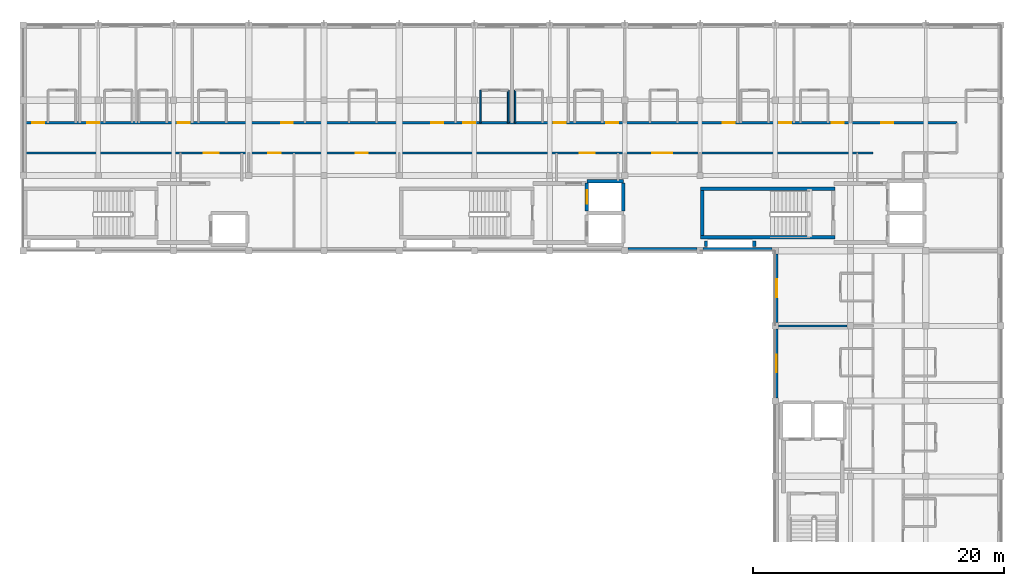
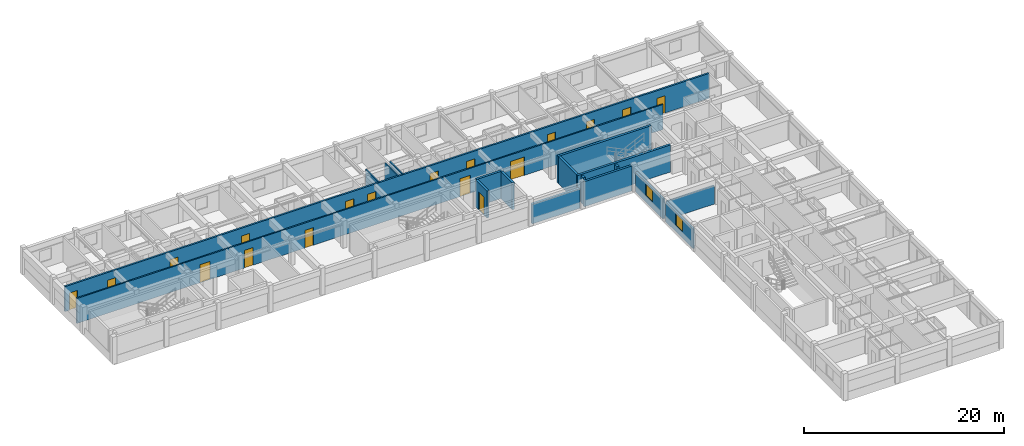
# One storey, part 5 of 14: 18 doors, 18 walls, 2 windows, 20 openings.
"""IFC4 building model written with IfcOpenShell, lengths in metres."""

from ifc_helpers import new_model, si_unit, direction, frame, frame_2d, origin, place, context, subcontext, project, spatial, rectangle, extrude, material, layer, layer_set, type_object, element, fill, save


model = new_model("IFC4")

# Units and contexts
model_context = context("Model", 3, precision=1e-05, world=origin(), true_north=direction((0.0, 1.0)))
body_context = subcontext(model_context, "Body", "Model", "MODEL_VIEW")
ifc_project = project(units=[si_unit("LENGTHUNIT", "METRE"), si_unit("AREAUNIT", "SQUARE_METRE"), si_unit("VOLUMEUNIT", "CUBIC_METRE"), si_unit("PLANEANGLEUNIT", "RADIAN"), si_unit("MASSUNIT", "GRAM", prefix="KILO"), si_unit("THERMODYNAMICTEMPERATUREUNIT", "KELVIN"), si_unit("POWERUNIT", "WATT")], contexts=[model_context])

# Site, building, storey
site_placement = place(None, origin())
site = spatial("IfcSite", under=ifc_project, at=site_placement, CompositionType="ELEMENT")
building_placement = place(site_placement, origin())
building = spatial("IfcBuilding", under=site, at=building_placement, Name="Phaisarnlok Congress Hotel", CompositionType="ELEMENT")
storey_placement = place(building_placement, frame((0.0, 0.0, 48.0)))
storey = spatial("IfcBuildingStorey", under=building, at=storey_placement, Name="L12", CompositionType="ELEMENT", Elevation=48.0)

# Wall, opening, window
ifc_material_1 = material(Name="Concrete C40/50", Category="concrete")
ifc_layer_1 = layer(ifc_material_1, 0.2099609375, Name="Concrete C40/50")
ifc_layer_set_1 = layer_set([ifc_layer_1], Name="Concrete C40/50")
wall_type_1 = type_object("IfcWallType", Name="WL-EXT-210", PredefinedType="SOLIDWALL", material=ifc_layer_set_1)
wall_1_placement = place(storey_placement, frame((162.10498046875, 101.7451171875, 0.0), z_axis=(0.0, 0.0, 1.0), x_axis=(0.0, -1.0, 0.0)))
wall_1 = element("IfcWall", 1, at=wall_1_placement, inside=storey, type_object=wall_type_1, Name="Exterior wall EW-07 (L12)", PredefinedType="SOLIDWALL", context=body_context, shape_type="SweptSolid", body=[
    extrude(rectangle(XDim=5.490234375, YDim=0.2099609375, at=frame_2d((2.7451171875, 0.0))), origin(), (0.0, 0.0, 1.0), 2.39990234375),
])
opening_1_placement = place(wall_1_placement, frame((2.044921875, 0.0, 0.800048828125)))
opening_1 = element("IfcOpeningElement", 2, at=opening_1_placement, cuts=wall_1, Name="Opening W-13", PredefinedType="OPENING", context=body_context, shape_type="SweptSolid", body=[
    extrude(rectangle(XDim=1.39990234375, YDim=1.39990234375, at=frame_2d((0.699951171875, 0.699951171875))), frame((0.0, 0.114990234375, 0.0), z_axis=(0.0, -1.0, 0.0), x_axis=(1.0, 0.0, 0.0)), (0.0, 0.0, 1.0), 0.22998046875),
])
ifc_material_2 = material(Name="Thermally Broken Aluminium & Low-E Double Glazing", Category="aluminium")
window_type = type_object("IfcWindowType", Name="WIN-POD-1400", PartitioningType="SINGLE_PANEL", PredefinedType="WINDOW", material=ifc_material_2)
window_1_placement = place(opening_1_placement, origin())
window_1 = element("IfcWindow", 3, at=window_1_placement, inside=storey, type_object=window_type, Name="Guestroom window W-13 (L12)", OverallHeight=1.39990234375, OverallWidth=1.39990234375, PartitioningType="SINGLE_PANEL", PredefinedType="WINDOW", context=body_context, shape_type="SweptSolid", body=[
    extrude(rectangle(XDim=1.39990234375, YDim=1.39990234375, at=frame_2d((0.699951171875, 0.699951171875))), frame((0.0, 0.030029296875, 0.0), z_axis=(0.0, -1.0, 0.0), x_axis=(1.0, 0.0, 0.0)), (0.0, 0.0, 1.0), 0.06005859375),
])
fill(opening_1, window_1)

ifc_layer_2 = layer(ifc_material_1, 0.22998046875, Name="Concrete C40/50")
ifc_layer_set_2 = layer_set([ifc_layer_2], Name="Concrete C40/50")
wall_type_2 = type_object("IfcWallType", Name="WL-EXT-230", PredefinedType="SOLIDWALL", material=ifc_layer_set_2)
wall_2_placement = place(storey_placement, frame((162.114990234375, 107.7451171875, 0.0), z_axis=(0.0, 0.0, 1.0), x_axis=(0.0, -1.0, 0.0)))
wall_2 = element("IfcWall", 4, at=wall_2_placement, inside=storey, type_object=wall_type_2, Name="Exterior wall EW-06 (L12)", PredefinedType="SOLIDWALL", context=body_context, shape_type="SweptSolid", body=[
    extrude(rectangle(XDim=5.490234375, YDim=0.22998046875, at=frame_2d((2.7451171875, 0.0))), origin(), (0.0, 0.0, 1.0), 2.39990234375),
])
opening_2_placement = place(wall_2_placement, frame((2.044921875, 0.0, 0.800048828125)))
opening_2 = element("IfcOpeningElement", 5, at=opening_2_placement, cuts=wall_2, Name="Opening W-13", PredefinedType="OPENING", context=body_context, shape_type="SweptSolid", body=[
    extrude(rectangle(XDim=1.39990234375, YDim=1.39990234375, at=frame_2d((0.699951171875, 0.699951171875))), frame((0.0, 0.125, 0.0), z_axis=(0.0, -1.0, 0.0), x_axis=(1.0, 0.0, 0.0)), (0.0, 0.0, 1.0), 0.25),
])
window_2_placement = place(opening_2_placement, origin())
window_2 = element("IfcWindow", 6, at=window_2_placement, inside=storey, type_object=window_type, Name="Guestroom window W-13 (L12)", OverallHeight=1.39990234375, OverallWidth=1.39990234375, PartitioningType="SINGLE_PANEL", PredefinedType="WINDOW", context=body_context, shape_type="SweptSolid", body=[
    extrude(rectangle(XDim=1.39990234375, YDim=1.39990234375, at=frame_2d((0.699951171875, 0.699951171875))), frame((0.0, 0.030029296875, 0.0), z_axis=(0.0, -1.0, 0.0), x_axis=(1.0, 0.0, 0.0)), (0.0, 0.0, 1.0), 0.06005859375),
])
fill(opening_2, window_2)

# Walls
ifc_layer_3 = layer(ifc_material_1, 0.25, Name="Concrete C40/50")
ifc_layer_set_3 = layer_set([ifc_layer_3], Name="Concrete C40/50")
wall_type_3 = type_object("IfcWallType", Name="WL-EXT-250", PredefinedType="SOLIDWALL", material=ifc_layer_set_3)
wall_3_placement = place(storey_placement, frame((156.2548828125, 108.125, 0.0), z_axis=(0.0, 0.0, 1.0), x_axis=(1.0, 0.0, 0.0)))
element("IfcWall", 7, at=wall_3_placement, inside=storey, type_object=wall_type_3, Name="Exterior wall EW-05 (L12)", PredefinedType="SOLIDWALL", context=body_context, shape_type="SweptSolid", body=[
    extrude(rectangle(XDim=5.490234375, YDim=0.25, at=frame_2d((2.7451171875, 0.0))), origin(), (0.0, 0.0, 1.0), 3.050048828125),
])
ifc_layer_4 = layer(ifc_material_1, 0.27001953125, Name="Concrete C40/50")
ifc_layer_set_4 = layer_set([ifc_layer_4], Name="Concrete C40/50")
wall_type_4 = type_object("IfcWallType", Name="WL-EXT-270", PredefinedType="SOLIDWALL", material=ifc_layer_set_4)
wall_4_placement = place(storey_placement, frame((150.2548828125, 108.135009765625, 0.0), z_axis=(0.0, 0.0, 1.0), x_axis=(1.0, 0.0, 0.0)))
element("IfcWall", 8, at=wall_4_placement, inside=storey, type_object=wall_type_4, Name="Exterior wall EW-04 (L12)", PredefinedType="SOLIDWALL", context=body_context, shape_type="SweptSolid", body=[
    extrude(rectangle(XDim=5.490234375, YDim=0.27001953125, at=frame_2d((2.7451171875, 0.0))), origin(), (0.0, 0.0, 1.0), 2.39990234375),
])
ifc_material_3 = material(Name="Lightweight Metal-Stud Gypsum Partition", Category="gypsum")
ifc_layer_5 = layer(ifc_material_3, 0.1201171875, Name="Lightweight Metal-Stud Gypsum Partition")
ifc_layer_set_5 = layer_set([ifc_layer_5], Name="Lightweight Metal-Stud Gypsum Partition")
wall_type_5 = type_object("IfcWallType", Name="WL-INT-120", PredefinedType="PARTITIONING", material=ifc_layer_set_5)
wall_5_placement = place(storey_placement, frame((138.5, 118.199951171875, 0.0), z_axis=(0.0, 0.0, 1.0), x_axis=(0.0, 1.0, 0.0)))
element("IfcWall", 9, at=wall_5_placement, inside=storey, type_object=wall_type_5, Name="Interior partition wall IW-07 (L12)", PredefinedType="PARTITIONING", context=body_context, shape_type="SweptSolid", body=[
    extrude(rectangle(XDim=2.60009765625, YDim=0.1201171875, at=frame_2d((1.300048828125, 0.0))), origin(), (0.0, 0.0, 1.0), 3.050048828125),
])
ifc_material_4 = material(Name="Moisture-Resistant Gypsum Partition", Category="gypsum")
ifc_layer_6 = layer(ifc_material_4, 0.135009765625, Name="Moisture-Resistant Gypsum Partition")
ifc_layer_set_6 = layer_set([ifc_layer_6], Name="Moisture-Resistant Gypsum Partition")
wall_type_6 = type_object("IfcWallType", Name="WL-INT-135", PredefinedType="PARTITIONING", material=ifc_layer_set_6)
for number, where, z_axis, x_axis, name in (
    (10, (140.699951171875, 118.199951171875, 0.0), (0.0, 0.0, 1.0), (0.0, 1.0, 0.0), "Interior partition wall IW-06 (L12)"),
    (11, (141.25, 118.199951171875, 0.0), (0.0, 0.0, 1.0), (0.0, 1.0, 0.0), "Interior partition wall IW-06 (L12)"),
):
    element("IfcWall", number, at=place(storey_placement, frame(where, z_axis=z_axis, x_axis=x_axis)), inside=storey, type_object=wall_type_6, Name=name, PredefinedType="PARTITIONING", context=body_context, shape_type="SweptSolid", body=[
        extrude(rectangle(XDim=2.60009765625, YDim=0.135009765625, at=frame_2d((1.300048828125, 0.0))), origin(), (0.0, 0.0, 1.0), 3.050048828125),
    ])
ifc_material_5 = material(Name="Double-Stud Acoustic Gypsum Partition", Category="gypsum")
ifc_layer_7 = layer(ifc_material_5, 0.159912109375, Name="Double-Stud Acoustic Gypsum Partition")
ifc_layer_set_7 = layer_set([ifc_layer_7], Name="Double-Stud Acoustic Gypsum Partition")
wall_type_7 = type_object("IfcWallType", Name="WL-INT-160", PredefinedType="PARTITIONING", material=ifc_layer_set_7)
wall_6_placement = place(storey_placement, frame((162.280029296875, 102.0, 0.0), z_axis=(0.0, 0.0, 1.0), x_axis=(1.0, 0.0, 0.0)))
element("IfcWall", 12, at=wall_6_placement, inside=storey, type_object=wall_type_7, Name="Interior partition wall IW-04 (L12)", PredefinedType="PARTITIONING", context=body_context, shape_type="SweptSolid", body=[
    extrude(rectangle(XDim=5.465087890625, YDim=0.159912109375, at=frame_2d((2.732421875, 0.0))), origin(), (0.0, 0.0, 1.0), 2.25),
])

# Wall, openings, doors
wall_7_placement = place(storey_placement, frame((102.235107421875, 115.800048828125, 0.0), z_axis=(0.0, 0.0, 1.0), x_axis=(1.0, 0.0, 0.0)))
wall_7 = element("IfcWall", 13, at=wall_7_placement, inside=storey, type_object=wall_type_7, Name="Interior partition wall IW-04 (L12)", PredefinedType="PARTITIONING", context=body_context, shape_type="SweptSolid", body=[
    extrude(rectangle(XDim=67.56494140625, YDim=0.159912109375, at=frame_2d((33.782470703125, 0.0))), origin(), (0.0, 0.0, 1.0), 3.050048828125),
])
opening_3_placement = place(wall_7_placement, frame((44.1650390625, 0.0, 0.0)))
opening_3 = element("IfcOpeningElement", 14, at=opening_3_placement, cuts=wall_7, Name="Opening D-0673", PredefinedType="OPENING", context=body_context, shape_type="SweptSolid", body=[
    extrude(rectangle(XDim=1.199951171875, YDim=2.199951171875, at=frame_2d((0.60009765625, 1.10009765625))), frame((0.0, 0.08984375, 0.0), z_axis=(0.0, -1.0, 0.0), x_axis=(1.0, 0.0, 0.0)), (0.0, 0.0, 1.0), 0.179931640625),
])
opening_4_placement = place(wall_7_placement, frame((14.1650390625, 0.0, 0.0)))
opening_4 = element("IfcOpeningElement", 15, at=opening_4_placement, cuts=wall_7, Name="Opening D-0674", PredefinedType="OPENING", context=body_context, shape_type="SweptSolid", body=[
    extrude(rectangle(XDim=1.199951171875, YDim=2.199951171875, at=frame_2d((0.60009765625, 1.10009765625))), frame((0.0, 0.08984375, 0.0), z_axis=(0.0, -1.0, 0.0), x_axis=(1.0, 0.0, 0.0)), (0.0, 0.0, 1.0), 0.179931640625),
])
opening_5_placement = place(wall_7_placement, frame((19.31494140625, 0.0, 0.0)))
opening_5 = element("IfcOpeningElement", 16, at=opening_5_placement, cuts=wall_7, Name="Opening D-0676", PredefinedType="OPENING", context=body_context, shape_type="SweptSolid", body=[
    extrude(rectangle(XDim=1.0, YDim=2.14990234375, at=frame_2d((0.5, 1.074951171875))), frame((0.0, 0.08984375, 0.0), z_axis=(0.0, -1.0, 0.0), x_axis=(1.0, 0.0, 0.0)), (0.0, 0.0, 1.0), 0.179931640625),
])
opening_6_placement = place(wall_7_placement, frame((26.284912109375, 0.0, 0.0)))
opening_6 = element("IfcOpeningElement", 17, at=opening_6_placement, cuts=wall_7, Name="Opening D-0677", PredefinedType="OPENING", context=body_context, shape_type="SweptSolid", body=[
    extrude(rectangle(XDim=0.9599609375, YDim=2.14990234375, at=frame_2d((0.47998046875, 1.074951171875))), frame((0.0, 0.08984375, 0.0), z_axis=(0.0, -1.0, 0.0), x_axis=(1.0, 0.0, 0.0)), (0.0, 0.0, 1.0), 0.179931640625),
])
opening_7_placement = place(wall_7_placement, frame((49.965087890625, 0.0, 0.0)))
opening_7 = element("IfcOpeningElement", 18, at=opening_7_placement, cuts=wall_7, Name="Opening D-0678", PredefinedType="OPENING", context=body_context, shape_type="SweptSolid", body=[
    extrude(rectangle(XDim=1.60009765625, YDim=2.25, at=frame_2d((0.800048828125, 1.125))), frame((0.0, 0.08984375, 0.0), z_axis=(0.0, -1.0, 0.0), x_axis=(1.0, 0.0, 0.0)), (0.0, 0.0, 1.0), 0.179931640625),
])
ifc_material_6 = material(Name="Fire-Rated Steel Frame & Timber Leaf", Category="steel")
door_type_1 = type_object("IfcDoorType", Name="DR-FD60-1200", OperationType="NOTDEFINED", PredefinedType="DOOR", material=ifc_material_6)
door_1_placement = place(opening_3_placement, origin())
door_1 = element("IfcDoor", 19, at=door_1_placement, inside=storey, type_object=door_type_1, Name="Interior door D-0673 (L12)", OperationType="SINGLE_SWING_LEFT", OverallHeight=2.199951171875, OverallWidth=1.199951171875, PredefinedType="DOOR", context=body_context, shape_type="SweptSolid", body=[
    extrude(rectangle(XDim=1.199951171875, YDim=2.199951171875, at=frame_2d((0.60009765625, 1.10009765625))), frame((0.0, 0.02490234375, 0.0), z_axis=(0.0, -1.0, 0.0), x_axis=(1.0, 0.0, 0.0)), (0.0, 0.0, 1.0), 0.050048828125),
])
fill(opening_3, door_1)
door_2_placement = place(opening_4_placement, origin())
door_2 = element("IfcDoor", 20, at=door_2_placement, inside=storey, type_object=door_type_1, Name="Interior door D-0674 (L12)", OperationType="SINGLE_SWING_RIGHT", OverallHeight=2.199951171875, OverallWidth=1.199951171875, PredefinedType="DOOR", context=body_context, shape_type="SweptSolid", body=[
    extrude(rectangle(XDim=1.199951171875, YDim=2.199951171875, at=frame_2d((0.60009765625, 1.10009765625))), frame((0.0, 0.02490234375, 0.0), z_axis=(0.0, -1.0, 0.0), x_axis=(1.0, 0.0, 0.0)), (0.0, 0.0, 1.0), 0.050048828125),
])
fill(opening_4, door_2)
door_type_2 = type_object("IfcDoorType", Name="DR-FD60-950", OperationType="NOTDEFINED", PredefinedType="DOOR", material=ifc_material_6)
door_3_placement = place(opening_6_placement, origin())
door_3 = element("IfcDoor", 21, at=door_3_placement, inside=storey, type_object=door_type_2, Name="Interior door D-0677 (L12)", OperationType="SINGLE_SWING_LEFT", OverallHeight=2.14990234375, OverallWidth=0.9599609375, PredefinedType="DOOR", context=body_context, shape_type="SweptSolid", body=[
    extrude(rectangle(XDim=0.9599609375, YDim=2.14990234375, at=frame_2d((0.47998046875, 1.074951171875))), frame((0.0, 0.02490234375, 0.0), z_axis=(0.0, -1.0, 0.0), x_axis=(1.0, 0.0, 0.0)), (0.0, 0.0, 1.0), 0.050048828125),
])
fill(opening_6, door_3)
ifc_material_7 = material(Name="Frameless Tempered Acoustic Glass", Category="glass")
door_type_3 = type_object("IfcDoorType", Name="DR-GLZ-1600", OperationType="DOUBLE_DOOR_SINGLE_SWING", PredefinedType="DOOR", material=ifc_material_7)
door_4_placement = place(opening_7_placement, origin())
door_4 = element("IfcDoor", 22, at=door_4_placement, inside=storey, type_object=door_type_3, Name="Interior door D-0678 (L12)", OperationType="DOUBLE_DOOR_SINGLE_SWING", OverallHeight=2.25, OverallWidth=1.60009765625, PredefinedType="DOOR", context=body_context, shape_type="SweptSolid", body=[
    extrude(rectangle(XDim=1.60009765625, YDim=2.25, at=frame_2d((0.800048828125, 1.125))), frame((0.0, 0.02490234375, 0.0), z_axis=(0.0, -1.0, 0.0), x_axis=(1.0, 0.0, 0.0)), (0.0, 0.0, 1.0), 0.050048828125),
])
fill(opening_7, door_4)
ifc_material_8 = material(Name="Solid-Core Oak Veneer", Category="wood")
door_type_4 = type_object("IfcDoorType", Name="DR-INT-1000", OperationType="NOTDEFINED", PredefinedType="DOOR", material=ifc_material_8)
door_5_placement = place(opening_5_placement, origin())
door_5 = element("IfcDoor", 23, at=door_5_placement, inside=storey, type_object=door_type_4, Name="Interior door D-0676 (L12)", OperationType="SINGLE_SWING_RIGHT", OverallHeight=2.14990234375, OverallWidth=1.0, PredefinedType="DOOR", context=body_context, shape_type="SweptSolid", body=[
    extrude(rectangle(XDim=1.0, YDim=2.14990234375, at=frame_2d((0.5, 1.074951171875))), frame((0.0, 0.02490234375, 0.0), z_axis=(0.0, -1.0, 0.0), x_axis=(1.0, 0.0, 0.0)), (0.0, 0.0, 1.0), 0.050048828125),
])
fill(opening_5, door_5)

ifc_material_9 = material(Name="Autoclaved Aerated Concrete Block", Category="concrete")
ifc_layer_8 = layer(ifc_material_9, 0.199951171875, Name="Autoclaved Aerated Concrete Block")
ifc_layer_set_8 = layer_set([ifc_layer_8], Name="Autoclaved Aerated Concrete Block")
wall_type_8 = type_object("IfcWallType", Name="WL-INT-200", PredefinedType="PARTITIONING", material=ifc_layer_set_8)
wall_8_placement = place(storey_placement, frame((102.235107421875, 118.199951171875, 0.0), z_axis=(0.0, 0.0, 1.0), x_axis=(1.0, 0.0, 0.0)))
wall_8 = element("IfcWall", 24, at=wall_8_placement, inside=storey, type_object=wall_type_8, Name="Interior partition wall IW-02 (L12)", PredefinedType="PARTITIONING", context=body_context, shape_type="SweptSolid", body=[
    extrude(rectangle(XDim=74.264892578125, YDim=0.199951171875, at=frame_2d((37.13232421875, 0.0))), origin(), (0.0, 0.0, 1.0), 3.050048828125),
])
opening_8_placement = place(wall_8_placement, frame((0.489990234375, 0.0, 0.0)))
opening_8 = element("IfcOpeningElement", 25, at=opening_8_placement, cuts=wall_8, Name="Opening D-0680", PredefinedType="OPENING", context=body_context, shape_type="SweptSolid", body=[
    extrude(rectangle(XDim=0.949951171875, YDim=2.10009765625, at=frame_2d((0.47509765625, 1.050048828125))), frame((0.0, 0.10986328125, 0.0), z_axis=(0.0, -1.0, 0.0), x_axis=(1.0, 0.0, 0.0)), (0.0, 0.0, 1.0), 0.219970703125),
])
opening_9_placement = place(wall_8_placement, frame((4.889892578125, 0.0, 0.0)))
opening_9 = element("IfcOpeningElement", 26, at=opening_9_placement, cuts=wall_8, Name="Opening D-0682", PredefinedType="OPENING", context=body_context, shape_type="SweptSolid", body=[
    extrude(rectangle(XDim=0.949951171875, YDim=2.10009765625, at=frame_2d((0.47509765625, 1.050048828125))), frame((0.0, 0.10986328125, 0.0), z_axis=(0.0, -1.0, 0.0), x_axis=(1.0, 0.0, 0.0)), (0.0, 0.0, 1.0), 0.219970703125),
])
opening_10_placement = place(wall_8_placement, frame((12.090087890625, 0.0, 0.0)))
opening_10 = element("IfcOpeningElement", 27, at=opening_10_placement, cuts=wall_8, Name="Opening D-0684", PredefinedType="OPENING", context=body_context, shape_type="SweptSolid", body=[
    extrude(rectangle(XDim=0.949951171875, YDim=2.10009765625, at=frame_2d((0.47509765625, 1.050048828125))), frame((0.0, 0.10986328125, 0.0), z_axis=(0.0, -1.0, 0.0), x_axis=(1.0, 0.0, 0.0)), (0.0, 0.0, 1.0), 0.219970703125),
])
opening_11_placement = place(wall_8_placement, frame((20.340087890625, 0.0, 0.0)))
opening_11 = element("IfcOpeningElement", 28, at=opening_11_placement, cuts=wall_8, Name="Opening D-0686", PredefinedType="OPENING", context=body_context, shape_type="SweptSolid", body=[
    extrude(rectangle(XDim=0.949951171875, YDim=2.10009765625, at=frame_2d((0.47509765625, 1.050048828125))), frame((0.0, 0.10986328125, 0.0), z_axis=(0.0, -1.0, 0.0), x_axis=(1.0, 0.0, 0.0)), (0.0, 0.0, 1.0), 0.219970703125),
])
opening_12_placement = place(wall_8_placement, frame((32.340087890625, 0.0, 0.0)))
opening_12 = element("IfcOpeningElement", 29, at=opening_12_placement, cuts=wall_8, Name="Opening D-0688", PredefinedType="OPENING", context=body_context, shape_type="SweptSolid", body=[
    extrude(rectangle(XDim=0.949951171875, YDim=2.10009765625, at=frame_2d((0.47509765625, 1.050048828125))), frame((0.0, 0.10986328125, 0.0), z_axis=(0.0, -1.0, 0.0), x_axis=(1.0, 0.0, 0.0)), (0.0, 0.0, 1.0), 0.219970703125),
])
opening_13_placement = place(wall_8_placement, frame((34.889892578125, 0.0, 0.0)))
opening_13 = element("IfcOpeningElement", 30, at=opening_13_placement, cuts=wall_8, Name="Opening D-0690", PredefinedType="OPENING", context=body_context, shape_type="SweptSolid", body=[
    extrude(rectangle(XDim=0.949951171875, YDim=2.10009765625, at=frame_2d((0.47509765625, 1.050048828125))), frame((0.0, 0.10986328125, 0.0), z_axis=(0.0, -1.0, 0.0), x_axis=(1.0, 0.0, 0.0)), (0.0, 0.0, 1.0), 0.219970703125),
])
opening_14_placement = place(wall_8_placement, frame((42.090087890625, 0.0, 0.0)))
opening_14 = element("IfcOpeningElement", 31, at=opening_14_placement, cuts=wall_8, Name="Opening D-0692", PredefinedType="OPENING", context=body_context, shape_type="SweptSolid", body=[
    extrude(rectangle(XDim=0.949951171875, YDim=2.10009765625, at=frame_2d((0.47509765625, 1.050048828125))), frame((0.0, 0.10986328125, 0.0), z_axis=(0.0, -1.0, 0.0), x_axis=(1.0, 0.0, 0.0)), (0.0, 0.0, 1.0), 0.219970703125),
])
opening_15_placement = place(wall_8_placement, frame((46.2900390625, 0.0, 0.0)))
opening_15 = element("IfcOpeningElement", 32, at=opening_15_placement, cuts=wall_8, Name="Opening D-0694", PredefinedType="OPENING", context=body_context, shape_type="SweptSolid", body=[
    extrude(rectangle(XDim=0.949951171875, YDim=2.10009765625, at=frame_2d((0.47509765625, 1.050048828125))), frame((0.0, 0.10986328125, 0.0), z_axis=(0.0, -1.0, 0.0), x_axis=(1.0, 0.0, 0.0)), (0.0, 0.0, 1.0), 0.219970703125),
])
opening_16_placement = place(wall_8_placement, frame((55.590087890625, 0.0, 0.0)))
opening_16 = element("IfcOpeningElement", 33, at=opening_16_placement, cuts=wall_8, Name="Opening D-0696", PredefinedType="OPENING", context=body_context, shape_type="SweptSolid", body=[
    extrude(rectangle(XDim=0.949951171875, YDim=2.10009765625, at=frame_2d((0.47509765625, 1.050048828125))), frame((0.0, 0.10986328125, 0.0), z_axis=(0.0, -1.0, 0.0), x_axis=(1.0, 0.0, 0.0)), (0.0, 0.0, 1.0), 0.219970703125),
])
opening_17_placement = place(wall_8_placement, frame((60.090087890625, 0.0, 0.0)))
opening_17 = element("IfcOpeningElement", 34, at=opening_17_placement, cuts=wall_8, Name="Opening D-0698", PredefinedType="OPENING", context=body_context, shape_type="SweptSolid", body=[
    extrude(rectangle(XDim=0.949951171875, YDim=2.10009765625, at=frame_2d((0.47509765625, 1.050048828125))), frame((0.0, 0.10986328125, 0.0), z_axis=(0.0, -1.0, 0.0), x_axis=(1.0, 0.0, 0.0)), (0.0, 0.0, 1.0), 0.219970703125),
])
opening_18_placement = place(wall_8_placement, frame((64.2900390625, 0.0, 0.0)))
opening_18 = element("IfcOpeningElement", 35, at=opening_18_placement, cuts=wall_8, Name="Opening D-0700", PredefinedType="OPENING", context=body_context, shape_type="SweptSolid", body=[
    extrude(rectangle(XDim=0.949951171875, YDim=2.10009765625, at=frame_2d((0.47509765625, 1.050048828125))), frame((0.0, 0.10986328125, 0.0), z_axis=(0.0, -1.0, 0.0), x_axis=(1.0, 0.0, 0.0)), (0.0, 0.0, 1.0), 0.219970703125),
])
opening_19_placement = place(wall_8_placement, frame((68.239990234375, 0.0, 0.0)))
opening_19 = element("IfcOpeningElement", 36, at=opening_19_placement, cuts=wall_8, Name="Opening D-0702", PredefinedType="OPENING", context=body_context, shape_type="SweptSolid", body=[
    extrude(rectangle(XDim=0.949951171875, YDim=2.10009765625, at=frame_2d((0.47509765625, 1.050048828125))), frame((0.0, 0.10986328125, 0.0), z_axis=(0.0, -1.0, 0.0), x_axis=(1.0, 0.0, 0.0)), (0.0, 0.0, 1.0), 0.219970703125),
])
ifc_material_10 = material(Name="Acoustic Solid-Core Teak Veneer", Category="wood")
door_type_5 = type_object("IfcDoorType", Name="DR-FD30-950", OperationType="NOTDEFINED", PredefinedType="DOOR", material=ifc_material_10)
door_6_placement = place(opening_8_placement, origin())
door_6 = element("IfcDoor", 37, at=door_6_placement, inside=storey, type_object=door_type_5, Name="Interior door D-0680 (L12)", OperationType="SINGLE_SWING_LEFT", OverallHeight=2.10009765625, OverallWidth=0.949951171875, PredefinedType="DOOR", context=body_context, shape_type="SweptSolid", body=[
    extrude(rectangle(XDim=0.949951171875, YDim=2.10009765625, at=frame_2d((0.47509765625, 1.050048828125))), frame((0.0, 0.02490234375, 0.0), z_axis=(0.0, -1.0, 0.0), x_axis=(1.0, 0.0, 0.0)), (0.0, 0.0, 1.0), 0.050048828125),
])
fill(opening_8, door_6)
door_7_placement = place(opening_9_placement, origin())
door_7 = element("IfcDoor", 38, at=door_7_placement, inside=storey, type_object=door_type_5, Name="Interior door D-0682 (L12)", OperationType="SINGLE_SWING_LEFT", OverallHeight=2.10009765625, OverallWidth=0.949951171875, PredefinedType="DOOR", context=body_context, shape_type="SweptSolid", body=[
    extrude(rectangle(XDim=0.949951171875, YDim=2.10009765625, at=frame_2d((0.47509765625, 1.050048828125))), frame((0.0, 0.02490234375, 0.0), z_axis=(0.0, -1.0, 0.0), x_axis=(1.0, 0.0, 0.0)), (0.0, 0.0, 1.0), 0.050048828125),
])
fill(opening_9, door_7)
door_8_placement = place(opening_10_placement, origin())
door_8 = element("IfcDoor", 39, at=door_8_placement, inside=storey, type_object=door_type_5, Name="Interior door D-0684 (L12)", OperationType="SINGLE_SWING_LEFT", OverallHeight=2.10009765625, OverallWidth=0.949951171875, PredefinedType="DOOR", context=body_context, shape_type="SweptSolid", body=[
    extrude(rectangle(XDim=0.949951171875, YDim=2.10009765625, at=frame_2d((0.47509765625, 1.050048828125))), frame((0.0, 0.02490234375, 0.0), z_axis=(0.0, -1.0, 0.0), x_axis=(1.0, 0.0, 0.0)), (0.0, 0.0, 1.0), 0.050048828125),
])
fill(opening_10, door_8)
door_9_placement = place(opening_11_placement, origin())
door_9 = element("IfcDoor", 40, at=door_9_placement, inside=storey, type_object=door_type_5, Name="Interior door D-0686 (L12)", OperationType="SINGLE_SWING_LEFT", OverallHeight=2.10009765625, OverallWidth=0.949951171875, PredefinedType="DOOR", context=body_context, shape_type="SweptSolid", body=[
    extrude(rectangle(XDim=0.949951171875, YDim=2.10009765625, at=frame_2d((0.47509765625, 1.050048828125))), frame((0.0, 0.02490234375, 0.0), z_axis=(0.0, -1.0, 0.0), x_axis=(1.0, 0.0, 0.0)), (0.0, 0.0, 1.0), 0.050048828125),
])
fill(opening_11, door_9)
door_10_placement = place(opening_12_placement, origin())
door_10 = element("IfcDoor", 41, at=door_10_placement, inside=storey, type_object=door_type_5, Name="Interior door D-0688 (L12)", OperationType="SINGLE_SWING_LEFT", OverallHeight=2.10009765625, OverallWidth=0.949951171875, PredefinedType="DOOR", context=body_context, shape_type="SweptSolid", body=[
    extrude(rectangle(XDim=0.949951171875, YDim=2.10009765625, at=frame_2d((0.47509765625, 1.050048828125))), frame((0.0, 0.02490234375, 0.0), z_axis=(0.0, -1.0, 0.0), x_axis=(1.0, 0.0, 0.0)), (0.0, 0.0, 1.0), 0.050048828125),
])
fill(opening_12, door_10)
door_11_placement = place(opening_13_placement, origin())
door_11 = element("IfcDoor", 42, at=door_11_placement, inside=storey, type_object=door_type_5, Name="Interior door D-0690 (L12)", OperationType="SINGLE_SWING_LEFT", OverallHeight=2.10009765625, OverallWidth=0.949951171875, PredefinedType="DOOR", context=body_context, shape_type="SweptSolid", body=[
    extrude(rectangle(XDim=0.949951171875, YDim=2.10009765625, at=frame_2d((0.47509765625, 1.050048828125))), frame((0.0, 0.02490234375, 0.0), z_axis=(0.0, -1.0, 0.0), x_axis=(1.0, 0.0, 0.0)), (0.0, 0.0, 1.0), 0.050048828125),
])
fill(opening_13, door_11)
door_12_placement = place(opening_14_placement, origin())
door_12 = element("IfcDoor", 43, at=door_12_placement, inside=storey, type_object=door_type_5, Name="Interior door D-0692 (L12)", OperationType="SINGLE_SWING_LEFT", OverallHeight=2.10009765625, OverallWidth=0.949951171875, PredefinedType="DOOR", context=body_context, shape_type="SweptSolid", body=[
    extrude(rectangle(XDim=0.949951171875, YDim=2.10009765625, at=frame_2d((0.47509765625, 1.050048828125))), frame((0.0, 0.02490234375, 0.0), z_axis=(0.0, -1.0, 0.0), x_axis=(1.0, 0.0, 0.0)), (0.0, 0.0, 1.0), 0.050048828125),
])
fill(opening_14, door_12)
door_13_placement = place(opening_15_placement, origin())
door_13 = element("IfcDoor", 44, at=door_13_placement, inside=storey, type_object=door_type_5, Name="Interior door D-0694 (L12)", OperationType="SINGLE_SWING_LEFT", OverallHeight=2.10009765625, OverallWidth=0.949951171875, PredefinedType="DOOR", context=body_context, shape_type="SweptSolid", body=[
    extrude(rectangle(XDim=0.949951171875, YDim=2.10009765625, at=frame_2d((0.47509765625, 1.050048828125))), frame((0.0, 0.02490234375, 0.0), z_axis=(0.0, -1.0, 0.0), x_axis=(1.0, 0.0, 0.0)), (0.0, 0.0, 1.0), 0.050048828125),
])
fill(opening_15, door_13)
door_14_placement = place(opening_16_placement, origin())
door_14 = element("IfcDoor", 45, at=door_14_placement, inside=storey, type_object=door_type_5, Name="Interior door D-0696 (L12)", OperationType="SINGLE_SWING_LEFT", OverallHeight=2.10009765625, OverallWidth=0.949951171875, PredefinedType="DOOR", context=body_context, shape_type="SweptSolid", body=[
    extrude(rectangle(XDim=0.949951171875, YDim=2.10009765625, at=frame_2d((0.47509765625, 1.050048828125))), frame((0.0, 0.02490234375, 0.0), z_axis=(0.0, -1.0, 0.0), x_axis=(1.0, 0.0, 0.0)), (0.0, 0.0, 1.0), 0.050048828125),
])
fill(opening_16, door_14)
door_15_placement = place(opening_17_placement, origin())
door_15 = element("IfcDoor", 46, at=door_15_placement, inside=storey, type_object=door_type_5, Name="Interior door D-0698 (L12)", OperationType="SINGLE_SWING_LEFT", OverallHeight=2.10009765625, OverallWidth=0.949951171875, PredefinedType="DOOR", context=body_context, shape_type="SweptSolid", body=[
    extrude(rectangle(XDim=0.949951171875, YDim=2.10009765625, at=frame_2d((0.47509765625, 1.050048828125))), frame((0.0, 0.02490234375, 0.0), z_axis=(0.0, -1.0, 0.0), x_axis=(1.0, 0.0, 0.0)), (0.0, 0.0, 1.0), 0.050048828125),
])
fill(opening_17, door_15)
door_16_placement = place(opening_18_placement, origin())
door_16 = element("IfcDoor", 47, at=door_16_placement, inside=storey, type_object=door_type_5, Name="Interior door D-0700 (L12)", OperationType="SINGLE_SWING_LEFT", OverallHeight=2.10009765625, OverallWidth=0.949951171875, PredefinedType="DOOR", context=body_context, shape_type="SweptSolid", body=[
    extrude(rectangle(XDim=0.949951171875, YDim=2.10009765625, at=frame_2d((0.47509765625, 1.050048828125))), frame((0.0, 0.02490234375, 0.0), z_axis=(0.0, -1.0, 0.0), x_axis=(1.0, 0.0, 0.0)), (0.0, 0.0, 1.0), 0.050048828125),
])
fill(opening_18, door_16)
door_17_placement = place(opening_19_placement, origin())
door_17 = element("IfcDoor", 48, at=door_17_placement, inside=storey, type_object=door_type_5, Name="Interior door D-0702 (L12)", OperationType="SINGLE_SWING_LEFT", OverallHeight=2.10009765625, OverallWidth=0.949951171875, PredefinedType="DOOR", context=body_context, shape_type="SweptSolid", body=[
    extrude(rectangle(XDim=0.949951171875, YDim=2.10009765625, at=frame_2d((0.47509765625, 1.050048828125))), frame((0.0, 0.02490234375, 0.0), z_axis=(0.0, -1.0, 0.0), x_axis=(1.0, 0.0, 0.0)), (0.0, 0.0, 1.0), 0.050048828125),
])
fill(opening_19, door_17)

# Walls
ifc_material_11 = material(Name="Concrete C50/60", Category="concrete")
ifc_layer_9 = layer(ifc_material_11, 0.260009765625, Name="Concrete C50/60")
ifc_layer_set_9 = layer_set([ifc_layer_9], Name="Concrete C50/60")
wall_type_9 = type_object("IfcWallType", Name="WL-SHR-260", PredefinedType="SHEAR", material=ifc_layer_set_9)
for number, where, z_axis, x_axis, name in (
    (49, (156.0400390625, 109.070068359375, 0.0), (0.0, 0.0, 1.0), (1.0, 0.0, 0.0), "Stair shaft shear wall SW-04 (CORE-1 L12)"),
    (50, (156.0400390625, 112.929931640625, 0.0), (0.0, 0.0, 1.0), (1.0, 0.0, 0.0), "Stair shaft shear wall SW-04 (CORE-1 L12)"),
):
    element("IfcWall", number, at=place(storey_placement, frame(where, z_axis=z_axis, x_axis=x_axis)), inside=storey, type_object=wall_type_9, Name=name, PredefinedType="SHEAR", context=body_context, shape_type="SweptSolid", body=[
        extrude(rectangle(XDim=10.719970703125, YDim=0.260009765625, at=frame_2d((5.35986328125, 0.0))), origin(), (0.0, 0.0, 1.0), 3.300048828125),
    ])
wall_9_placement = place(storey_placement, frame((156.169921875, 109.199951171875, 0.0), z_axis=(0.0, 0.0, 1.0), x_axis=(0.0, 1.0, 0.0)))
element("IfcWall", 51, at=wall_9_placement, inside=storey, type_object=wall_type_9, Name="Stair shaft shear wall SW-04 (CORE-1 L12)", PredefinedType="SHEAR", context=body_context, shape_type="SweptSolid", body=[
    extrude(rectangle(XDim=3.60009765625, YDim=0.260009765625, at=frame_2d((1.800048828125, 0.0))), origin(), (0.0, 0.0, 1.0), 3.300048828125),
])
for number, where, z_axis, x_axis, name in (
    (52, (156.469970703125, 108.330078125, 0.0), (0.0, 0.0, 1.0), (0.0, 1.0, 0.0), "Service riser shaft wall SW-04 (CORE-1 L12)"),
    (53, (160.330078125, 108.330078125, 0.0), (0.0, 0.0, 1.0), (0.0, 1.0, 0.0), "Service riser shaft wall SW-04 (CORE-1 L12)"),
):
    element("IfcWall", number, at=place(storey_placement, frame(where, z_axis=z_axis, x_axis=x_axis)), inside=storey, type_object=wall_type_9, Name=name, PredefinedType="SHEAR", context=body_context, shape_type="SweptSolid", body=[
        extrude(rectangle(XDim=0.43994140625, YDim=0.260009765625, at=frame_2d((0.219970703125, 0.0))), origin(), (0.0, 0.0, 1.0), 3.300048828125),
    ])
wall_10_placement = place(storey_placement, frame((146.969970703125, 113.530029296875, 0.0), z_axis=(0.0, 0.0, 1.0), x_axis=(1.0, 0.0, 0.0)))
element("IfcWall", 54, at=wall_10_placement, inside=storey, type_object=wall_type_9, Name="Lift shaft shear wall SW-04 (LF-HP2 L12)", PredefinedType="SHEAR", context=body_context, shape_type="SweptSolid", body=[
    extrude(rectangle(XDim=2.909912109375, YDim=0.260009765625, at=frame_2d((1.455078125, 0.0))), origin(), (0.0, 0.0, 1.0), 3.300048828125),
])
wall_11_placement = place(storey_placement, frame((149.8798828125, 111.14990234375, 0.0), z_axis=(0.0, 0.0, 1.0), x_axis=(0.0, 1.0, 0.0)))
element("IfcWall", 55, at=wall_11_placement, inside=storey, type_object=wall_type_9, Name="Lift shaft shear wall SW-04 (LF-HP2 L12)", PredefinedType="SHEAR", context=body_context, shape_type="SweptSolid", body=[
    extrude(rectangle(XDim=2.25, YDim=0.260009765625, at=frame_2d((1.125, 0.0))), origin(), (0.0, 0.0, 1.0), 3.300048828125),
])

# Wall, opening, door
wall_12_placement = place(storey_placement, frame((146.969970703125, 111.14990234375, 0.0), z_axis=(0.0, 0.0, 1.0), x_axis=(0.0, 1.0, 0.0)))
wall_12 = element("IfcWall", 56, at=wall_12_placement, inside=storey, type_object=wall_type_9, Name="Lift shaft front wall SW-04 (LF-HP2 L12)", PredefinedType="SHEAR", context=body_context, shape_type="SweptSolid", body=[
    extrude(rectangle(XDim=2.25, YDim=0.260009765625, at=frame_2d((1.125, 0.0))), origin(), (0.0, 0.0, 1.0), 3.300048828125),
])
opening_20_placement = place(wall_12_placement, frame((0.574951171875, 0.0, 0.0)))
opening_20 = element("IfcOpeningElement", 57, at=opening_20_placement, cuts=wall_12, Name="Opening LD-059", PredefinedType="OPENING", context=body_context, shape_type="SweptSolid", body=[
    extrude(rectangle(XDim=1.10009765625, YDim=2.199951171875, at=frame_2d((0.550048828125, 1.10009765625))), frame((0.0, 0.14013671875, 0.0), z_axis=(0.0, -1.0, 0.0), x_axis=(1.0, 0.0, 0.0)), (0.0, 0.0, 1.0), 0.280029296875),
])
ifc_material_12 = material(Name="Brushed Stainless Steel Grade 304", Category="steel")
door_type_6 = type_object("IfcDoorType", Name="DR-LD-1100", OperationType="DOUBLE_DOOR_SLIDING", PredefinedType="DOOR", material=ifc_material_12)
door_18_placement = place(opening_20_placement, origin())
door_18 = element("IfcDoor", 58, at=door_18_placement, inside=storey, type_object=door_type_6, Name="Lift landing sliding door LD-059 (LF-HP2 L12)", OperationType="DOUBLE_DOOR_SLIDING", OverallHeight=2.199951171875, OverallWidth=1.10009765625, PredefinedType="DOOR", context=body_context, shape_type="SweptSolid", body=[
    extrude(rectangle(XDim=1.10009765625, YDim=2.199951171875, at=frame_2d((0.550048828125, 1.10009765625))), frame((0.0, 0.02490234375, 0.0), z_axis=(0.0, -1.0, 0.0), x_axis=(1.0, 0.0, 0.0)), (0.0, 0.0, 1.0), 0.050048828125),
])
fill(opening_20, door_18)

save(model, "model.ifc")
